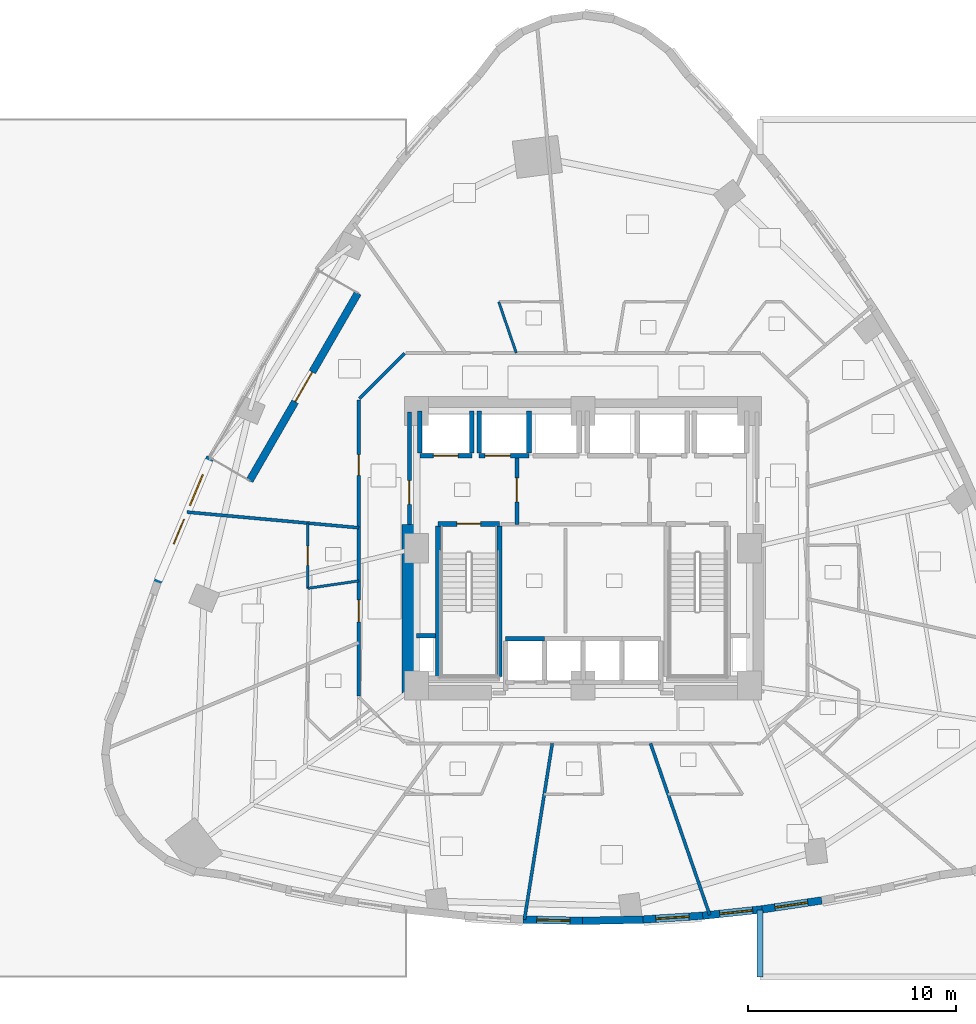
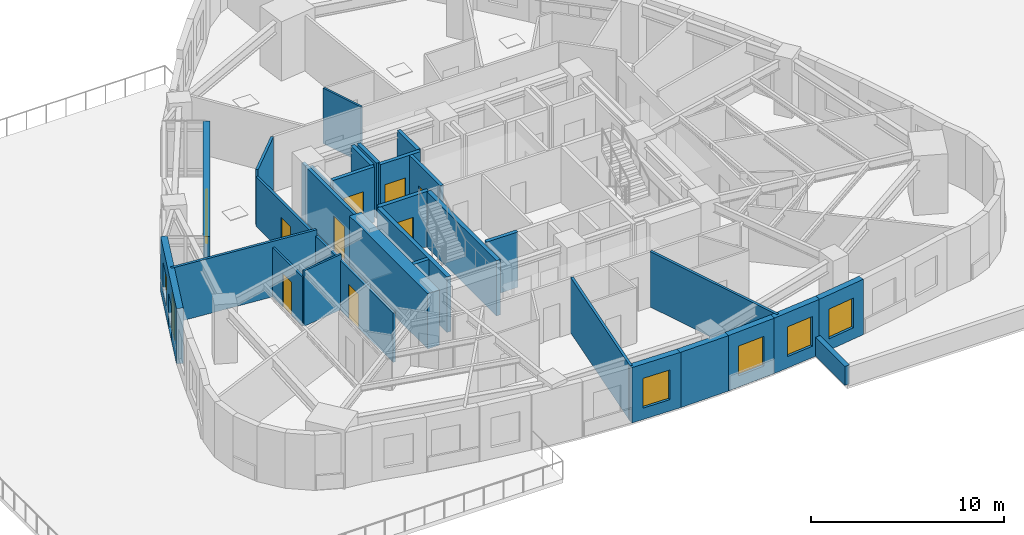
# One storey, part 8 of 15: 30 walls, 10 doors, 5 windows, 15 openings.
"""IFC4 building model written with IfcOpenShell, lengths in metres."""

import ifcopenshell
import ifcopenshell.guid

model = None  # the IFC model being written
_history = None  # IfcOwnerHistory: only IFC2X3 demands one
_inside = {}  # id of a spatial element -> (the spatial element, [elements in it])
_under = {}  # id of a project, library or spatial element -> (it, [spatial elements below it])
_declared = {}  # id of a project -> (the project, [libraries it declares])
_typed = {}  # id of a type object -> (the type object, [elements of that type])
_made_of = {}  # id of a material, layer set ... -> (it, [elements and type objects made of it])


def new_model(schema):
    """Start an empty IFC model of exactly this schema.

    Asked for "IFC4X3", IfcOpenShell would pick the latest addendum, in which some entities
    have other attributes; the version numbers below select the first issue.
    IFC2X3 requires an IfcOwnerHistory on every rooted entity: one is made here for all.
    """
    global model, _history
    if schema == "IFC4X3":
        model = ifcopenshell.file(schema_version=(4, 3, 0, 0))
    else:
        model = ifcopenshell.file(schema=schema)
    _inside.clear()
    _under.clear()
    _declared.clear()
    _typed.clear()
    _made_of.clear()
    _history = None
    if model.schema == "IFC2X3":
        org = make("IfcOrganization", Name="unknown")
        user = make(
            "IfcPersonAndOrganization",
            ThePerson=make("IfcPerson", FamilyName="unknown"),
            TheOrganization=org,
        )
        app = make(
            "IfcApplication",
            ApplicationDeveloper=org,
            Version="unknown",
            ApplicationFullName="unknown",
            ApplicationIdentifier="unknown",
        )
        _history = make(
            "IfcOwnerHistory",
            OwningUser=user,
            OwningApplication=app,
            ChangeAction="ADDED",
            CreationDate=0,
        )
    return model


def make(cls, **values):
    """One entity of the class cls with the attributes given. An attribute that is None is left unset."""
    return model.create_entity(
        cls, **{name: value for name, value in values.items() if value is not None}
    )


def rooted(cls, **values):
    """An entity with a GlobalId (a new one), such as an element, a storey or a relation."""
    return make(cls, GlobalId=ifcopenshell.guid.new(), OwnerHistory=_history, **values)


def si_unit(unit_type, name, prefix=None):
    """IfcSIUnit, for example si_unit("LENGTHUNIT", "METRE", prefix="MILLI")."""
    return make("IfcSIUnit", UnitType=unit_type, Prefix=prefix, Name=name)


def assignment(units):
    """IfcUnitAssignment: the units of a project."""
    return None if units is None else make("IfcUnitAssignment", Units=units)


def point(xyz):
    """IfcCartesianPoint."""
    return None if xyz is None else make("IfcCartesianPoint", Coordinates=xyz)


def direction(xyz):
    """IfcDirection."""
    return None if xyz is None else make("IfcDirection", DirectionRatios=xyz)


def frame(location, z_axis=None, x_axis=None):
    """IfcAxis2Placement3D, a coordinate frame: its origin and axes. An axis left out is left unset."""
    return make(
        "IfcAxis2Placement3D",
        Location=point(location),
        Axis=direction(z_axis),
        RefDirection=direction(x_axis),
    )


def frame_2d(location, x_axis=None):
    """IfcAxis2Placement2D, a coordinate frame in the plane: its origin and x axis."""
    return make(
        "IfcAxis2Placement2D", Location=point(location), RefDirection=direction(x_axis)
    )


def origin():
    """The frame at (0, 0, 0) with its axes left unset."""
    return frame((0.0, 0.0, 0.0))


def place(relative_to, where):
    """IfcLocalPlacement: puts the frame where relative to a parent placement (None: the world)."""
    return make(
        "IfcLocalPlacement", PlacementRelTo=relative_to, RelativePlacement=where
    )


def context(
    kind, dimensions, precision=None, world=None, true_north=None, identifier=None
):
    """IfcGeometricRepresentationContext, for example the 3D "Model" context."""
    return make(
        "IfcGeometricRepresentationContext",
        ContextIdentifier=identifier,
        ContextType=kind,
        CoordinateSpaceDimension=dimensions,
        Precision=precision,
        WorldCoordinateSystem=world,
        TrueNorth=true_north,
    )


def subcontext(parent, identifier, kind, view, scale=None):
    """IfcGeometricRepresentationSubContext, for example "Body" below "Model"."""
    return make(
        "IfcGeometricRepresentationSubContext",
        ContextIdentifier=identifier,
        ContextType=kind,
        ParentContext=parent,
        TargetScale=scale,
        TargetView=view,
    )


def project(units=None, contexts=None):
    """IfcProject with its units and contexts."""
    return rooted(
        "IfcProject",
        Name="project",
        RepresentationContexts=contexts,
        UnitsInContext=assignment(units),
    )


def spatial(cls, under=None, at=None, **own):
    """A site, building, storey or space (cls), placed at a placement, below another one or the project."""
    s = rooted(cls, ObjectPlacement=at, **own)
    if under is not None:
        _under.setdefault(under.id(), (under, []))[1].append(s)
    return s


def profile(cls, at=None, kind="AREA", **sizes):
    """A parametric profile (cls). Its sizes go by their IFC names, for example OverallWidth=200.0."""
    return make(cls, ProfileType=kind, Position=at, **sizes)


def rectangle(**sizes):
    """IfcRectangleProfileDef."""
    return profile("IfcRectangleProfileDef", **sizes)


def extrude(swept, where, along, depth):
    """IfcExtrudedAreaSolid: the profile swept, set in the frame where, extruded along a direction by depth."""
    return make(
        "IfcExtrudedAreaSolid",
        SweptArea=swept,
        Position=where,
        ExtrudedDirection=direction(along),
        Depth=depth,
    )


def shape(context_of_items, identifier, shape_type, items):
    """IfcShapeRepresentation: the items that make up one representation, for example the "Body"."""
    return make(
        "IfcShapeRepresentation",
        ContextOfItems=context_of_items,
        RepresentationIdentifier=identifier,
        RepresentationType=shape_type,
        Items=items,
    )


def material(Name=None, Category=None):
    """IfcMaterial."""
    return make("IfcMaterial", Name=Name, Category=Category)


def layer(
    of_material, thickness, ventilated=None, Name=None, Category=None, Priority=None
):
    """IfcMaterialLayer: one layer of a wall or slab, of a material (None: an air gap)."""
    return make(
        "IfcMaterialLayer",
        Material=of_material,
        LayerThickness=thickness,
        IsVentilated=ventilated,
        Name=Name,
        Category=Category,
        Priority=Priority,
    )


def layer_set(layers, Name=None):
    """IfcMaterialLayerSet."""
    return make("IfcMaterialLayerSet", MaterialLayers=layers, LayerSetName=Name)


def made_of(thing, what):
    """Note that an element or type object is made of a material, layer set ...; save() writes the relation."""
    if what is not None:
        _made_of.setdefault(what.id(), (what, []))[1].append(thing)
    return thing


def type_object(cls, material=None, **own):
    """A type object (cls), such as IfcWallType, which elements share."""
    return made_of(rooted(cls, **own), material)


def element(
    cls,
    number,
    at=None,
    inside=None,
    cuts=None,
    type_object=None,
    material=None,
    context=None,
    identifier="Body",
    shape_type=None,
    held_by="IfcProductDefinitionShape",
    body=None,
    shapes=None,
    **own,
):
    """One element of the class cls, such as IfcWall. Its Tag is "e" and its number.

    at: its placement. inside: the storey or other place that contains it. cuts: it is an
    opening in that element (IfcRelVoidsElement). A single representation is given by context,
    identifier, shape_type and body (its items); several are given by shapes. held_by: the class
    of the entity that holds the representations. save() writes the other relations.
    """
    e = rooted(cls, Tag="e%d" % number, ObjectPlacement=at, **own)
    if body is not None:
        shapes = [shape(context, identifier, shape_type, body)]
    if shapes is not None:
        e.Representation = make(held_by, Representations=shapes)
    if inside is not None:
        _inside.setdefault(inside.id(), (inside, []))[1].append(e)
    if cuts is not None:
        rooted(
            "IfcRelVoidsElement", RelatingBuildingElement=cuts, RelatedOpeningElement=e
        )
    if type_object is not None:
        _typed.setdefault(type_object.id(), (type_object, []))[1].append(e)
    return made_of(e, material)


def fill(opening, filler):
    """IfcRelFillsElement: the door or window that sits in an opening."""
    return rooted(
        "IfcRelFillsElement",
        RelatingOpeningElement=opening,
        RelatedBuildingElement=filler,
    )


def aggregate(whole, parts):
    """IfcRelAggregates: a whole, such as a stair, and the parts it consists of."""
    return rooted("IfcRelAggregates", RelatingObject=whole, RelatedObjects=parts)


def save(model, path):
    """Write the relations noted so far, then the file.

    IfcRelAggregates (storeys below a building ...), IfcRelContainedInSpatialStructure (elements
    in a storey), IfcRelDefinesByType, IfcRelAssociatesMaterial and IfcRelDeclares: one each for
    every whole, place, type object, material and project.
    """
    for whole, parts in _under.values():
        aggregate(whole, parts)
    for where, things in _inside.values():
        rooted(
            "IfcRelContainedInSpatialStructure",
            RelatedElements=things,
            RelatingStructure=where,
        )
    for kind, things in _typed.values():
        rooted("IfcRelDefinesByType", RelatedObjects=things, RelatingType=kind)
    for what, things in _made_of.values():
        rooted("IfcRelAssociatesMaterial", RelatedObjects=things, RelatingMaterial=what)
    for by, libraries in _declared.values():
        rooted("IfcRelDeclares", RelatingContext=by, RelatedDefinitions=libraries)
    model.write(path)


model = new_model("IFC4")

# Units and contexts
model_context = context("Model", 3, precision=1e-05, world=origin(), true_north=direction((0.0, 1.0)))
body_context = subcontext(model_context, "Body", "Model", "MODEL_VIEW")
ifc_project = project(units=[si_unit("LENGTHUNIT", "METRE"), si_unit("AREAUNIT", "SQUARE_METRE"), si_unit("VOLUMEUNIT", "CUBIC_METRE"), si_unit("PLANEANGLEUNIT", "RADIAN"), si_unit("MASSUNIT", "GRAM", prefix="KILO")], contexts=[model_context])

# Site, building, storey
site_placement = place(None, origin())
site = spatial("IfcSite", under=ifc_project, at=site_placement, CompositionType="ELEMENT")
building_placement = place(site_placement, origin())
building = spatial("IfcBuilding", under=site, at=building_placement, Name="Ndelora Gate Hotel", CompositionType="ELEMENT")
storey_placement = place(building_placement, frame((0.0, 0.0, 30.5)))
storey = spatial("IfcBuildingStorey", under=building, at=storey_placement, Name="L06", CompositionType="ELEMENT", Elevation=30.5)

# Wall, opening, door
ifc_material_1 = material(Name="Clay Brick Masonry", Category="masonry")
ifc_layer_1 = layer(ifc_material_1, 0.360107421875)
ifc_layer_set_1 = layer_set([ifc_layer_1], Name="Clay Brick Masonry")
wall_type_1 = type_object("IfcWallType", Name="WL-BRICK-360", PredefinedType="SOLIDWALL", material=ifc_layer_set_1)
wall_1_placement = place(storey_placement, frame((-16.02490234375, 3.24755859375, 0.0), z_axis=(0.0, 0.0, 1.0), x_axis=(0.499999493275, 0.866025696342, 0.0)))
wall_1 = element("IfcWall", 1, at=wall_1_placement, inside=storey, type_object=wall_type_1, Name="L06 Sky-Garden Loggia Rear Brick Wall", PredefinedType="SOLIDWALL", context=body_context, shape_type="SweptSolid", body=[
    extrude(rectangle(XDim=10.39990234375, YDim=0.360107421875, at=frame_2d((5.199951171875, 0.0))), origin(), (0.0, 0.0, 1.0), 3.5),
])
opening_1_placement = place(wall_1_placement, frame((4.375, 0.0, 0.0)))
opening_1 = element("IfcOpeningElement", 2, at=opening_1_placement, cuts=wall_1, Name="Opening TD1", PredefinedType="OPENING", context=body_context, shape_type="SweptSolid", body=[
    extrude(rectangle(XDim=1.64990234375, YDim=2.25, at=frame_2d((0.824951171875, 1.125))), frame((0.0, 0.18994140625, 0.0), z_axis=(0.0, -1.0, 0.0), x_axis=(1.0, 0.0, 0.0)), (0.0, 0.0, 1.0), 0.380126953125),
])
ifc_material_2 = material(Name="Architectural Bronze Glazed Door", Category="metal")
door_type_1 = type_object("IfcDoorType", Name="DR-TER-1650", OperationType="DOUBLE_DOOR_SINGLE_SWING", PredefinedType="DOOR", material=ifc_material_2)
door_1_placement = place(opening_1_placement, origin())
door_1 = element("IfcDoor", 3, at=door_1_placement, inside=storey, type_object=door_type_1, Name="L06 Sky-Garden Terrace Double Door TD1", OperationType="DOUBLE_DOOR_SINGLE_SWING", OverallHeight=2.25, OverallWidth=1.64990234375, PredefinedType="DOOR", context=body_context, shape_type="SweptSolid", body=[
    extrude(rectangle(XDim=1.64990234375, YDim=2.25, at=frame_2d((0.824951171875, 1.125))), frame((0.0, 0.02490234375, 0.0), z_axis=(0.0, -1.0, 0.0), x_axis=(1.0, 0.0, 0.0)), (0.0, 0.0, 1.0), 0.050048828125),
])
fill(opening_1, door_1)

# Wall, openings, door, window
wall_2_placement = place(storey_placement, frame((-20.46630859375, -1.681640625, 0.0), z_axis=(0.0, 0.0, 1.0), x_axis=(0.387744465456, 0.921766906277, 0.0)))
wall_2 = element("IfcWall", 4, at=wall_2_placement, inside=storey, type_object=wall_type_1, Name="L06 Tower Brick Pier-and-Spandrel Wall TWR-16", PredefinedType="SOLIDWALL", context=body_context, shape_type="SweptSolid", body=[
    extrude(rectangle(XDim=6.56591796875, YDim=0.360107421875, at=frame_2d((3.282958984375, 0.0))), origin(), (0.0, 0.0, 1.0), 3.5),
])
opening_2_placement = place(wall_2_placement, frame((2.050048828125, 0.0, 0.0)))
opening_2 = element("IfcOpeningElement", 5, at=opening_2_placement, cuts=wall_2, Name="Opening TD2", PredefinedType="OPENING", context=body_context, shape_type="SweptSolid", body=[
    extrude(rectangle(XDim=1.280029296875, YDim=2.199951171875, at=frame_2d((0.64013671875, 1.10009765625))), frame((0.0, 0.18994140625, 0.0), z_axis=(0.0, -1.0, 0.0), x_axis=(1.0, 0.0, 0.0)), (0.0, 0.0, 1.0), 0.380126953125),
])
opening_3_placement = place(wall_2_placement, frame((4.06005859375, 0.0, 0.719970703125)))
opening_3 = element("IfcOpeningElement", 6, at=opening_3_placement, cuts=wall_2, Name="Opening W01", PredefinedType="OPENING", context=body_context, shape_type="SweptSolid", body=[
    extrude(rectangle(XDim=1.60009765625, YDim=1.8798828125, at=frame_2d((0.800048828125, 0.93994140625))), frame((0.0, 0.18994140625, 0.0), z_axis=(0.0, -1.0, 0.0), x_axis=(1.0, 0.0, 0.0)), (0.0, 0.0, 1.0), 0.380126953125),
])
door_type_2 = type_object("IfcDoorType", Name="DR-TER-1280", OperationType="SINGLE_SWING_LEFT", PredefinedType="DOOR", material=ifc_material_2)
door_2_placement = place(opening_2_placement, origin())
door_2 = element("IfcDoor", 7, at=door_2_placement, inside=storey, type_object=door_type_2, Name="L06 West Podium Planted Sky-Terrace Door TD2", OperationType="SINGLE_SWING_LEFT", OverallHeight=2.199951171875, OverallWidth=1.280029296875, PredefinedType="DOOR", context=body_context, shape_type="SweptSolid", body=[
    extrude(rectangle(XDim=1.280029296875, YDim=2.199951171875, at=frame_2d((0.64013671875, 1.10009765625))), frame((0.0, 0.02490234375, 0.0), z_axis=(0.0, -1.0, 0.0), x_axis=(1.0, 0.0, 0.0)), (0.0, 0.0, 1.0), 0.050048828125),
])
fill(opening_2, door_2)
ifc_material_3 = material(Name="Insulated Low-E Double Glazing in Bronze Aluminium Frame", Category="aluminium")
window_type = type_object("IfcWindowType", Name="WN-DEEP-1600", PartitioningType="SINGLE_PANEL", PredefinedType="WINDOW", material=ifc_material_3)
window_1_placement = place(opening_3_placement, origin())
window_1 = element("IfcWindow", 8, at=window_1_placement, inside=storey, type_object=window_type, Name="L06 Deep-Set Brick-Pier Window W01", OverallHeight=1.8798828125, OverallWidth=1.60009765625, PartitioningType="SINGLE_PANEL", PredefinedType="WINDOW", context=body_context, shape_type="SweptSolid", body=[
    extrude(rectangle(XDim=1.60009765625, YDim=1.8798828125, at=frame_2d((0.800048828125, 0.93994140625))), frame((0.0, 0.030029296875, 0.0), z_axis=(0.0, -1.0, 0.0), x_axis=(1.0, 0.0, 0.0)), (0.0, 0.0, 1.0), 0.06005859375),
])
fill(opening_3, window_1)

# Wall, opening, window
wall_3_placement = place(storey_placement, frame((0.02490234375, -17.904296875, 0.0), z_axis=(0.0, 0.0, 1.0), x_axis=(-0.999772855956, 0.021312824625, 0.0)))
wall_3 = element("IfcWall", 9, at=wall_3_placement, inside=storey, type_object=wall_type_1, Name="L06 Tower Brick Pier-and-Spandrel Wall TWR-32", PredefinedType="SOLIDWALL", context=body_context, shape_type="SweptSolid", body=[
    extrude(rectangle(XDim=2.90966796875, YDim=0.360107421875, at=frame_2d((1.454833984375, 0.0))), origin(), (0.0, 0.0, 1.0), 3.5),
])
opening_4_placement = place(wall_3_placement, frame((0.65478515625, 0.0, 0.719970703125)))
opening_4 = element("IfcOpeningElement", 10, at=opening_4_placement, cuts=wall_3, Name="Opening W01", PredefinedType="OPENING", context=body_context, shape_type="SweptSolid", body=[
    extrude(rectangle(XDim=1.60009765625, YDim=1.8798828125, at=frame_2d((0.800048828125, 0.93994140625))), frame((0.0, 0.18994140625, 0.0), z_axis=(0.0, -1.0, 0.0), x_axis=(1.0, 0.0, 0.0)), (0.0, 0.0, 1.0), 0.380126953125),
])
window_2_placement = place(opening_4_placement, origin())
window_2 = element("IfcWindow", 11, at=window_2_placement, inside=storey, type_object=window_type, Name="L06 Deep-Set Brick-Pier Window W01", OverallHeight=1.8798828125, OverallWidth=1.60009765625, PartitioningType="SINGLE_PANEL", PredefinedType="WINDOW", context=body_context, shape_type="SweptSolid", body=[
    extrude(rectangle(XDim=1.60009765625, YDim=1.8798828125, at=frame_2d((0.800048828125, 0.93994140625))), frame((0.0, 0.030029296875, 0.0), z_axis=(0.0, -1.0, 0.0), x_axis=(1.0, 0.0, 0.0)), (0.0, 0.0, 1.0), 0.06005859375),
])
fill(opening_4, window_2)

# Wall
wall_4_placement = place(storey_placement, frame((2.884033203125, -17.84228515625, 0.0), z_axis=(0.0, 0.0, 1.0), x_axis=(-0.999772855956, -0.021312824625, 0.0)))
element("IfcWall", 12, at=wall_4_placement, inside=storey, type_object=wall_type_1, Name="L06 Tower Brick Pier-and-Spandrel Wall TWR-33", PredefinedType="SOLIDWALL", context=body_context, shape_type="SweptSolid", body=[
    extrude(rectangle(XDim=2.90966796875, YDim=0.360107421875, at=frame_2d((1.454833984375, 0.0))), origin(), (0.0, 0.0, 1.0), 3.5),
])

# Wall, opening, window
wall_5_placement = place(storey_placement, frame((5.742919921875, -17.657958984375, 0.0), z_axis=(0.0, 0.0, 1.0), x_axis=(-0.997950575381, -0.063989445203, 0.0)))
wall_5 = element("IfcWall", 13, at=wall_5_placement, inside=storey, type_object=wall_type_1, Name="L06 Tower Brick Pier-and-Spandrel Wall TWR-34", PredefinedType="SOLIDWALL", context=body_context, shape_type="SweptSolid", body=[
    extrude(rectangle(XDim=2.914794921875, YDim=0.360107421875, at=frame_2d((1.45751953125, 0.0))), origin(), (0.0, 0.0, 1.0), 3.5),
])
opening_5_placement = place(wall_5_placement, frame((0.657470703125, 0.0, 0.719970703125)))
opening_5 = element("IfcOpeningElement", 14, at=opening_5_placement, cuts=wall_5, Name="Opening W01", PredefinedType="OPENING", context=body_context, shape_type="SweptSolid", body=[
    extrude(rectangle(XDim=1.60009765625, YDim=1.8798828125, at=frame_2d((0.800048828125, 0.93994140625))), frame((0.0, 0.18994140625, 0.0), z_axis=(0.0, -1.0, 0.0), x_axis=(1.0, 0.0, 0.0)), (0.0, 0.0, 1.0), 0.380126953125),
])
window_3_placement = place(opening_5_placement, origin())
window_3 = element("IfcWindow", 15, at=window_3_placement, inside=storey, type_object=window_type, Name="L06 Deep-Set Brick-Pier Window W01", OverallHeight=1.8798828125, OverallWidth=1.60009765625, PartitioningType="SINGLE_PANEL", PredefinedType="WINDOW", context=body_context, shape_type="SweptSolid", body=[
    extrude(rectangle(XDim=1.60009765625, YDim=1.8798828125, at=frame_2d((0.800048828125, 0.93994140625))), frame((0.0, 0.030029296875, 0.0), z_axis=(0.0, -1.0, 0.0), x_axis=(1.0, 0.0, 0.0)), (0.0, 0.0, 1.0), 0.06005859375),
])
fill(opening_5, window_3)

wall_6_placement = place(storey_placement, frame((8.60205078125, -17.351318359375, 0.0), z_axis=(0.0, 0.0, 1.0), x_axis=(-0.994340996166, -0.106235508864, 0.0)))
wall_6 = element("IfcWall", 16, at=wall_6_placement, inside=storey, type_object=wall_type_1, Name="L06 Tower Brick Pier-and-Spandrel Wall TWR-35", PredefinedType="SOLIDWALL", context=body_context, shape_type="SweptSolid", body=[
    extrude(rectangle(XDim=2.925537109375, YDim=0.360107421875, at=frame_2d((1.462890625, 0.0))), origin(), (0.0, 0.0, 1.0), 3.5),
])
opening_6_placement = place(wall_6_placement, frame((0.4599609375, 0.0, 0.719970703125)))
opening_6 = element("IfcOpeningElement", 17, at=opening_6_placement, cuts=wall_6, Name="Opening W01", PredefinedType="OPENING", context=body_context, shape_type="SweptSolid", body=[
    extrude(rectangle(XDim=1.60009765625, YDim=1.8798828125, at=frame_2d((0.800048828125, 0.93994140625))), frame((0.0, 0.18994140625, 0.0), z_axis=(0.0, -1.0, 0.0), x_axis=(1.0, 0.0, 0.0)), (0.0, 0.0, 1.0), 0.380126953125),
])
window_4_placement = place(opening_6_placement, origin())
window_4 = element("IfcWindow", 18, at=window_4_placement, inside=storey, type_object=window_type, Name="L06 Deep-Set Brick-Pier Window W01", OverallHeight=1.8798828125, OverallWidth=1.60009765625, PartitioningType="SINGLE_PANEL", PredefinedType="WINDOW", context=body_context, shape_type="SweptSolid", body=[
    extrude(rectangle(XDim=1.60009765625, YDim=1.8798828125, at=frame_2d((0.800048828125, 0.93994140625))), frame((0.0, 0.030029296875, 0.0), z_axis=(0.0, -1.0, 0.0), x_axis=(1.0, 0.0, 0.0)), (0.0, 0.0, 1.0), 0.06005859375),
])
fill(opening_6, window_4)

wall_7_placement = place(storey_placement, frame((11.460693359375, -16.92236328125, 0.0), z_axis=(0.0, 0.0, 1.0), x_axis=(-0.988982587095, -0.148031896641, 0.0)))
wall_7 = element("IfcWall", 19, at=wall_7_placement, inside=storey, type_object=wall_type_1, Name="L06 Tower Brick Pier-and-Spandrel Wall TWR-36", PredefinedType="SOLIDWALL", context=body_context, shape_type="SweptSolid", body=[
    extrude(rectangle(XDim=2.940673828125, YDim=0.360107421875, at=frame_2d((1.47021484375, 0.0))), origin(), (0.0, 0.0, 1.0), 3.5),
])
opening_7_placement = place(wall_7_placement, frame((0.67041015625, 0.0, 0.719970703125)))
opening_7 = element("IfcOpeningElement", 20, at=opening_7_placement, cuts=wall_7, Name="Opening W01", PredefinedType="OPENING", context=body_context, shape_type="SweptSolid", body=[
    extrude(rectangle(XDim=1.60009765625, YDim=1.8798828125, at=frame_2d((0.800048828125, 0.93994140625))), frame((0.0, 0.18994140625, 0.0), z_axis=(0.0, -1.0, 0.0), x_axis=(1.0, 0.0, 0.0)), (0.0, 0.0, 1.0), 0.380126953125),
])
window_5_placement = place(opening_7_placement, origin())
window_5 = element("IfcWindow", 21, at=window_5_placement, inside=storey, type_object=window_type, Name="L06 Deep-Set Brick-Pier Window W01", OverallHeight=1.8798828125, OverallWidth=1.60009765625, PartitioningType="SINGLE_PANEL", PredefinedType="WINDOW", context=body_context, shape_type="SweptSolid", body=[
    extrude(rectangle(XDim=1.60009765625, YDim=1.8798828125, at=frame_2d((0.800048828125, 0.93994140625))), frame((0.0, 0.030029296875, 0.0), z_axis=(0.0, -1.0, 0.0), x_axis=(1.0, 0.0, 0.0)), (0.0, 0.0, 1.0), 0.06005859375),
])
fill(opening_7, window_5)

# Wall
ifc_material_4 = material(Name="Concrete C60/75", Category="concrete")
ifc_layer_2 = layer(ifc_material_4, 0.699951171875)
ifc_layer_set_2 = layer_set([ifc_layer_2], Name="Concrete C60/75")
wall_type_2 = type_object("IfcWallType", Name="WL-CORE-700", PredefinedType="SHEAR", material=ifc_layer_set_2)
wall_8_placement = place(storey_placement, frame((-8.35009765625, -6.949951171875, 0.0), z_axis=(0.0, 0.0, 1.0), x_axis=(0.0, 1.0, 0.0)))
element("IfcWall", 22, at=wall_8_placement, inside=storey, type_object=wall_type_2, Name="L06 Core Shear Wall W", PredefinedType="SHEAR", context=body_context, shape_type="SweptSolid", body=[
    extrude(rectangle(XDim=8.099853515625, YDim=0.699951171875, at=frame_2d((4.0498046875, 0.0))), origin(), (0.0, 0.0, 1.0), 3.5),
])

# Wall, opening, door
ifc_material_5 = material(Name="Concrete C40/50", Category="concrete")
ifc_layer_3 = layer(ifc_material_5, 0.199951171875)
ifc_layer_set_3 = layer_set([ifc_layer_3], Name="Concrete C40/50")
wall_type_3 = type_object("IfcWallType", Name="WL-FIRE-200", PredefinedType="PARTITIONING", material=ifc_layer_set_3)
wall_9_placement = place(storey_placement, frame((-3.179931640625, 1.14990234375, 0.0), z_axis=(0.0, 0.0, 1.0), x_axis=(0.0, 1.0, 0.0)))
wall_9 = element("IfcWall", 23, at=wall_9_placement, inside=storey, type_object=wall_type_3, Name="L06 Interior Wall IW-2", PredefinedType="PARTITIONING", context=body_context, shape_type="SweptSolid", body=[
    extrude(rectangle(XDim=3.300048828125, YDim=0.199951171875, at=frame_2d((1.64990234375, 0.0))), origin(), (0.0, 0.0, 1.0), 3.5),
])
opening_8_placement = place(wall_9_placement, frame((1.080078125, 0.0, 0.0)))
opening_8 = element("IfcOpeningElement", 24, at=opening_8_placement, cuts=wall_9, Name="Opening FD1", PredefinedType="OPENING", context=body_context, shape_type="SweptSolid", body=[
    extrude(rectangle(XDim=1.14990234375, YDim=2.14990234375, at=frame_2d((0.574951171875, 1.074951171875))), frame((0.0, 0.10986328125, 0.0), z_axis=(0.0, -1.0, 0.0), x_axis=(1.0, 0.0, 0.0)), (0.0, 0.0, 1.0), 0.219970703125),
])
ifc_material_6 = material(Name="Fire-Rated Timber-Veneer Steel Core", Category="steel")
door_type_3 = type_object("IfcDoorType", Name="DR-FD60", OperationType="SINGLE_SWING_LEFT", PredefinedType="DOOR", material=ifc_material_6)
door_3_placement = place(opening_8_placement, origin())
door_3 = element("IfcDoor", 25, at=door_3_placement, inside=storey, type_object=door_type_3, Name="L06 Firefighting Lobby West Door", OperationType="SINGLE_SWING_RIGHT", OverallHeight=2.14990234375, OverallWidth=1.14990234375, PredefinedType="DOOR", context=body_context, shape_type="SweptSolid", body=[
    extrude(rectangle(XDim=1.14990234375, YDim=2.14990234375, at=frame_2d((0.574951171875, 1.074951171875))), frame((0.0, 0.02490234375, 0.0), z_axis=(0.0, -1.0, 0.0), x_axis=(1.0, 0.0, 0.0)), (0.0, 0.0, 1.0), 0.050048828125),
])
fill(opening_8, door_3)

wall_10_placement = place(storey_placement, frame((-8.35009765625, 1.14990234375, 0.0), z_axis=(0.0, 0.0, 1.0), x_axis=(0.0, 1.0, 0.0)))
wall_10 = element("IfcWall", 26, at=wall_10_placement, inside=storey, type_object=wall_type_3, Name="L06 Interior Wall IW-2", PredefinedType="PARTITIONING", context=body_context, shape_type="SweptSolid", body=[
    extrude(rectangle(XDim=5.400146484375, YDim=0.199951171875, at=frame_2d((2.7001953125, 0.0))), origin(), (0.0, 0.0, 1.0), 3.5),
])
opening_9_placement = place(wall_10_placement, frame((0.949951171875, 0.0, 0.0)))
opening_9 = element("IfcOpeningElement", 27, at=opening_9_placement, cuts=wall_10, Name="Opening FD1", PredefinedType="OPENING", context=body_context, shape_type="SweptSolid", body=[
    extrude(rectangle(XDim=1.14990234375, YDim=2.14990234375, at=frame_2d((0.574951171875, 1.074951171875))), frame((0.0, 0.10986328125, 0.0), z_axis=(0.0, -1.0, 0.0), x_axis=(1.0, 0.0, 0.0)), (0.0, 0.0, 1.0), 0.219970703125),
])
door_4_placement = place(opening_9_placement, origin())
door_4 = element("IfcDoor", 28, at=door_4_placement, inside=storey, type_object=door_type_3, Name="L06 Firefighting Lobby West Corridor Door", OperationType="SINGLE_SWING_LEFT", OverallHeight=2.14990234375, OverallWidth=1.14990234375, PredefinedType="DOOR", context=body_context, shape_type="SweptSolid", body=[
    extrude(rectangle(XDim=1.14990234375, YDim=2.14990234375, at=frame_2d((0.574951171875, 1.074951171875))), frame((0.0, 0.02490234375, 0.0), z_axis=(0.0, -1.0, 0.0), x_axis=(1.0, 0.0, 0.0)), (0.0, 0.0, 1.0), 0.050048828125),
])
fill(opening_9, door_4)

# Walls
ifc_material_7 = material(Name="Precast concrete C40/50", Category="concrete")
ifc_layer_4 = layer(ifc_material_7, 0.2900390625)
ifc_layer_set_4 = layer_set([ifc_layer_4], Name="Precast concrete C40/50")
wall_type_4 = type_object("IfcWallType", Name="WL-PARA-290", PredefinedType="PARAPET", material=ifc_layer_set_4)
wall_11_placement = place(storey_placement, frame((8.5, -17.38232421875, 0.0), z_axis=(0.0, 0.0, 1.0), x_axis=(0.0, -1.0, 0.0)))
element("IfcWall", 29, at=wall_11_placement, inside=storey, type_object=wall_type_4, Name="L06 East Podium Roof Parapet Wall 1", PredefinedType="PARAPET", context=body_context, shape_type="SweptSolid", body=[
    extrude(rectangle(XDim=3.2177734375, YDim=0.2900390625, at=frame_2d((1.60888671875, 0.0))), origin(), (0.0, 0.0, 1.0), 1.199951171875),
])
ifc_material_8 = material(Name="Fire-Rated Gypsum Stud Partition", Category="gypsum")
ifc_layer_5 = layer(ifc_material_8, 0.14990234375)
ifc_layer_set_5 = layer_set([ifc_layer_5], Name="Fire-Rated Gypsum Stud Partition")
wall_type_5 = type_object("IfcWallType", Name="WL-PART-150", PredefinedType="PARTITIONING", material=ifc_layer_set_5)
wall_12_placement = place(storey_placement, frame((-10.751708984375, 7.17822265625, 0.0), z_axis=(0.0, 0.0, 1.0), x_axis=(0.707067066127, 0.707146494016, 0.0)))
element("IfcWall", 30, at=wall_12_placement, inside=storey, type_object=wall_type_5, Name="L06 Interior Wall IW-5", PredefinedType="PARTITIONING", context=body_context, shape_type="SweptSolid", body=[
    extrude(rectangle(XDim=3.07373046875, YDim=0.14990234375, at=frame_2d((1.536865234375, 0.0))), origin(), (0.0, 0.0, 1.0), 3.5),
])

# Wall, openings, doors
wall_13_placement = place(storey_placement, frame((-10.780029296875, -7.110107421875, 0.0), z_axis=(0.0, 0.0, 1.0), x_axis=(0.0, 1.0, 0.0)))
wall_13 = element("IfcWall", 31, at=wall_13_placement, inside=storey, type_object=wall_type_5, Name="L06 Interior Wall IW-5", PredefinedType="PARTITIONING", context=body_context, shape_type="SweptSolid", body=[
    extrude(rectangle(XDim=14.22021484375, YDim=0.14990234375, at=frame_2d((7.110107421875, 0.0))), origin(), (0.0, 0.0, 1.0), 3.1201171875),
])
opening_10_placement = place(wall_13_placement, frame((10.6064453125, 0.0, 0.0)))
opening_10 = element("IfcOpeningElement", 32, at=opening_10_placement, cuts=wall_13, Name="Opening D01", PredefinedType="OPENING", context=body_context, shape_type="SweptSolid", body=[
    extrude(rectangle(XDim=1.0, YDim=2.14990234375, at=frame_2d((0.5, 1.074951171875))), frame((0.0, 0.0849609375, 0.0), z_axis=(0.0, -1.0, 0.0), x_axis=(1.0, 0.0, 0.0)), (0.0, 0.0, 1.0), 0.169921875),
])
opening_11_placement = place(wall_13_placement, frame((3.56982421875, 0.0, 0.0)))
opening_11 = element("IfcOpeningElement", 33, at=opening_11_placement, cuts=wall_13, Name="Opening D07", PredefinedType="OPENING", context=body_context, shape_type="SweptSolid", body=[
    extrude(rectangle(XDim=1.06005859375, YDim=2.14990234375, at=frame_2d((0.530029296875, 1.074951171875))), frame((0.0, 0.0849609375, 0.0), z_axis=(0.0, -1.0, 0.0), x_axis=(1.0, 0.0, 0.0)), (0.0, 0.0, 1.0), 0.169921875),
])
ifc_material_9 = material(Name="Acoustic Hardwood Guest Entrance Door", Category="wood")
door_type_4 = type_object("IfcDoorType", Name="DR-COR-1000", OperationType="SINGLE_SWING_LEFT", PredefinedType="DOOR", material=ifc_material_9)
door_5_placement = place(opening_10_placement, origin())
door_5 = element("IfcDoor", 34, at=door_5_placement, inside=storey, type_object=door_type_4, Name="L06 Sky Garden Tea Dining Room Entrance Door", OperationType="SINGLE_SWING_LEFT", OverallHeight=2.14990234375, OverallWidth=1.0, PredefinedType="DOOR", context=body_context, shape_type="SweptSolid", body=[
    extrude(rectangle(XDim=1.0, YDim=2.14990234375, at=frame_2d((0.5, 1.074951171875))), frame((0.0, 0.02490234375, 0.0), z_axis=(0.0, -1.0, 0.0), x_axis=(1.0, 0.0, 0.0)), (0.0, 0.0, 1.0), 0.050048828125),
])
fill(opening_10, door_5)
ifc_material_10 = material(Name="Diplomatic Suite Acoustic Entrance Door", Category="wood")
door_type_5 = type_object("IfcDoorType", Name="DR-SUITE-1060", OperationType="SINGLE_SWING_LEFT", PredefinedType="DOOR", material=ifc_material_10)
door_6_placement = place(opening_11_placement, origin())
door_6 = element("IfcDoor", 35, at=door_6_placement, inside=storey, type_object=door_type_5, Name="L06 Deluxe King Junior Suite 904 Entrance Door", OperationType="SINGLE_SWING_RIGHT", OverallHeight=2.14990234375, OverallWidth=1.06005859375, PredefinedType="DOOR", context=body_context, shape_type="SweptSolid", body=[
    extrude(rectangle(XDim=1.06005859375, YDim=2.14990234375, at=frame_2d((0.530029296875, 1.074951171875))), frame((0.0, 0.02490234375, 0.0), z_axis=(0.0, -1.0, 0.0), x_axis=(1.0, 0.0, 0.0)), (0.0, 0.0, 1.0), 0.050048828125),
])
fill(opening_11, door_6)

# Walls
wall_14_placement = place(storey_placement, frame((-10.780029296875, 0.98291015625, 0.0), z_axis=(0.0, 0.0, 1.0), x_axis=(-0.995868528088, 0.090806799107, 0.0)))
element("IfcWall", 36, at=wall_14_placement, inside=storey, type_object=wall_type_5, Name="L06 Interior Wall IW-5", PredefinedType="PARTITIONING", context=body_context, shape_type="SweptSolid", body=[
    extrude(rectangle(XDim=8.283447265625, YDim=0.14990234375, at=frame_2d((4.1416015625, 0.0))), origin(), (0.0, 0.0, 1.0), 3.5),
])
wall_15_placement = place(storey_placement, frame((-1.482666015625, -9.3798828125, 0.0), z_axis=(0.0, 0.0, 1.0), x_axis=(-0.156108883171, -0.987739852692, 0.0)))
element("IfcWall", 37, at=wall_15_placement, inside=storey, type_object=wall_type_5, Name="L06 Interior Wall IW-5", PredefinedType="PARTITIONING", context=body_context, shape_type="SweptSolid", body=[
    extrude(rectangle(XDim=8.568603515625, YDim=0.14990234375, at=frame_2d((4.2841796875, 0.0))), origin(), (0.0, 0.0, 1.0), 3.5),
])
wall_16_placement = place(storey_placement, frame((3.237548828125, -9.3798828125, 0.0), z_axis=(0.0, 0.0, 1.0), x_axis=(0.326258220665, -0.945280685008, 0.0)))
element("IfcWall", 38, at=wall_16_placement, inside=storey, type_object=wall_type_5, Name="L06 Interior Wall IW-5", PredefinedType="PARTITIONING", context=body_context, shape_type="SweptSolid", body=[
    extrude(rectangle(XDim=8.7177734375, YDim=0.14990234375, at=frame_2d((4.35888671875, 0.0))), origin(), (0.0, 0.0, 1.0), 3.5),
])
ifc_layer_6 = layer(ifc_material_5, 0.219970703125)
ifc_layer_set_6 = layer_set([ifc_layer_6], Name="Concrete C40/50")
wall_type_6 = type_object("IfcWallType", Name="WL-SHAFT-220", PredefinedType="PARTITIONING", material=ifc_layer_set_6)
wall_17_placement = place(storey_placement, frame((-8.0, -4.199951171875, 0.0), z_axis=(0.0, 0.0, 1.0), x_axis=(1.0, 0.0, 0.0)))
element("IfcWall", 39, at=wall_17_placement, inside=storey, type_object=wall_type_6, Name="L06 Interior Wall IW-1", PredefinedType="PARTITIONING", context=body_context, shape_type="SweptSolid", body=[
    extrude(rectangle(XDim=0.909912109375, YDim=0.219970703125, at=frame_2d((0.455078125, 0.0))), origin(), (0.0, 0.0, 1.0), 3.5),
])

# Wall, opening, door
wall_18_placement = place(storey_placement, frame((-7.85009765625, 4.449951171875, 0.0), z_axis=(0.0, 0.0, 1.0), x_axis=(1.0, 0.0, 0.0)))
wall_18 = element("IfcWall", 40, at=wall_18_placement, inside=storey, type_object=wall_type_6, Name="L06 Interior Wall IW-1", PredefinedType="PARTITIONING", context=body_context, shape_type="SweptSolid", body=[
    extrude(rectangle(XDim=2.5, YDim=0.219970703125, at=frame_2d((1.25, 0.0))), origin(), (0.0, 0.0, 1.0), 3.5),
])
opening_12_placement = place(wall_18_placement, frame((0.659912109375, 0.0, 0.0)))
opening_12 = element("IfcOpeningElement", 41, at=opening_12_placement, cuts=wall_18, Name="Opening LD5", PredefinedType="OPENING", context=body_context, shape_type="SweptSolid", body=[
    extrude(rectangle(XDim=1.179931640625, YDim=2.14990234375, at=frame_2d((0.58984375, 1.074951171875))), frame((0.0, 0.1201171875, 0.0), z_axis=(0.0, -1.0, 0.0), x_axis=(1.0, 0.0, 0.0)), (0.0, 0.0, 1.0), 0.239990234375),
])
ifc_material_11 = material(Name="Firefighting Lift Stainless Sliding Landing Door", Category="metal")
door_type_6 = type_object("IfcDoorType", Name="DR-LD5", OperationType="DOUBLE_DOOR_SLIDING", PredefinedType="DOOR", material=ifc_material_11)
door_7_placement = place(opening_12_placement, origin())
door_7 = element("IfcDoor", 42, at=door_7_placement, inside=storey, type_object=door_type_6, Name="L06 Lift Landing Sliding Door FFL1", OperationType="DOUBLE_DOOR_SLIDING", OverallHeight=2.14990234375, OverallWidth=1.179931640625, PredefinedType="DOOR", context=body_context, shape_type="SweptSolid", body=[
    extrude(rectangle(XDim=1.179931640625, YDim=2.14990234375, at=frame_2d((0.58984375, 1.074951171875))), frame((0.0, 0.02490234375, 0.0), z_axis=(0.0, -1.0, 0.0), x_axis=(1.0, 0.0, 0.0)), (0.0, 0.0, 1.0), 0.050048828125),
])
fill(opening_12, door_7)

# Walls
wall_19_placement = place(storey_placement, frame((-7.85009765625, 4.570068359375, 0.0), z_axis=(0.0, 0.0, 1.0), x_axis=(0.0, 1.0, 0.0)))
element("IfcWall", 43, at=wall_19_placement, inside=storey, type_object=wall_type_6, Name="L06 Interior Wall IW-1", PredefinedType="PARTITIONING", context=body_context, shape_type="SweptSolid", body=[
    extrude(rectangle(XDim=2.030029296875, YDim=0.219970703125, at=frame_2d((1.01513671875, 0.0))), origin(), (0.0, 0.0, 1.0), 3.080078125),
])
wall_20_placement = place(storey_placement, frame((-5.35009765625, 4.570068359375, 0.0), z_axis=(0.0, 0.0, 1.0), x_axis=(0.0, 1.0, 0.0)))
element("IfcWall", 44, at=wall_20_placement, inside=storey, type_object=wall_type_6, Name="L06 Interior Wall IW-1", PredefinedType="PARTITIONING", context=body_context, shape_type="SweptSolid", body=[
    extrude(rectangle(XDim=2.030029296875, YDim=0.219970703125, at=frame_2d((1.01513671875, 0.0))), origin(), (0.0, 0.0, 1.0), 3.5),
])

# Wall, opening, door
wall_21_placement = place(storey_placement, frame((-5.0, 4.449951171875, 0.0), z_axis=(0.0, 0.0, 1.0), x_axis=(1.0, 0.0, 0.0)))
wall_21 = element("IfcWall", 45, at=wall_21_placement, inside=storey, type_object=wall_type_6, Name="L06 Interior Wall IW-1", PredefinedType="PARTITIONING", context=body_context, shape_type="SweptSolid", body=[
    extrude(rectangle(XDim=2.39990234375, YDim=0.219970703125, at=frame_2d((1.199951171875, 0.0))), origin(), (0.0, 0.0, 1.0), 3.5),
])
opening_13_placement = place(wall_21_placement, frame((0.280029296875, 0.0, 0.0)))
opening_13 = element("IfcOpeningElement", 46, at=opening_13_placement, cuts=wall_21, Name="Opening LD6", PredefinedType="OPENING", context=body_context, shape_type="SweptSolid", body=[
    extrude(rectangle(XDim=1.219970703125, YDim=2.14990234375, at=frame_2d((0.60986328125, 1.074951171875))), frame((0.0, 0.1201171875, 0.0), z_axis=(0.0, -1.0, 0.0), x_axis=(1.0, 0.0, 0.0)), (0.0, 0.0, 1.0), 0.239990234375),
])
ifc_material_12 = material(Name="Heavy-Duty Service Lift Sliding Landing Door", Category="wood")
door_type_7 = type_object("IfcDoorType", Name="DR-LD6", OperationType="DOUBLE_DOOR_SLIDING", PredefinedType="DOOR", material=ifc_material_12)
door_8_placement = place(opening_13_placement, origin())
door_8 = element("IfcDoor", 47, at=door_8_placement, inside=storey, type_object=door_type_7, Name="L06 Lift Landing Sliding Door SVL1", OperationType="DOUBLE_DOOR_SLIDING", OverallHeight=2.14990234375, OverallWidth=1.219970703125, PredefinedType="DOOR", context=body_context, shape_type="SweptSolid", body=[
    extrude(rectangle(XDim=1.219970703125, YDim=2.14990234375, at=frame_2d((0.60986328125, 1.074951171875))), frame((0.0, 0.02490234375, 0.0), z_axis=(0.0, -1.0, 0.0), x_axis=(1.0, 0.0, 0.0)), (0.0, 0.0, 1.0), 0.050048828125),
])
fill(opening_13, door_8)

# Walls
for number, where, z_axis, x_axis, name in (
    (48, (-5.0, 4.570068359375, 0.0), (0.0, 0.0, 1.0), (0.0, 1.0, 0.0), "L06 Interior Wall IW-1"),
    (49, (-2.60009765625, 4.570068359375, 0.0), (0.0, 0.0, 1.0), (0.0, 1.0, 0.0), "L06 Interior Wall IW-1"),
):
    element("IfcWall", number, at=place(storey_placement, frame(where, z_axis=z_axis, x_axis=x_axis)), inside=storey, type_object=wall_type_6, Name=name, PredefinedType="PARTITIONING", context=body_context, shape_type="SweptSolid", body=[
        extrude(rectangle(XDim=2.030029296875, YDim=0.219970703125, at=frame_2d((1.01513671875, 0.0))), origin(), (0.0, 0.0, 1.0), 3.5),
    ])
wall_22_placement = place(storey_placement, frame((-3.719970703125, -4.35009765625, 0.0), z_axis=(0.0, 0.0, 1.0), x_axis=(1.0, 0.0, 0.0)))
element("IfcWall", 50, at=wall_22_placement, inside=storey, type_object=wall_type_6, Name="L06 Interior Wall IW-1", PredefinedType="PARTITIONING", context=body_context, shape_type="SweptSolid", body=[
    extrude(rectangle(XDim=1.85986328125, YDim=0.219970703125, at=frame_2d((0.929931640625, 0.0))), origin(), (0.0, 0.0, 1.0), 3.5),
])
ifc_material_13 = material(Name="Concrete C50/60", Category="concrete")
ifc_layer_7 = layer(ifc_material_13, 0.239990234375)
ifc_layer_set_7 = layer_set([ifc_layer_7], Name="Concrete C50/60")
wall_type_7 = type_object("IfcWallType", Name="WL-STAIR-240", PredefinedType="SHEAR", material=ifc_layer_set_7)
for number, where, z_axis, x_axis, name in (
    (51, (-6.969970703125, -6.159912109375, 0.0), (0.0, 0.0, 1.0), (0.0, 1.0, 0.0), "L06 Stair Core Shear Wall SW-ST"),
    (52, (-4.010009765625, -6.159912109375, 0.0), (0.0, 0.0, 1.0), (0.0, 1.0, 0.0), "L06 Stair Core Shear Wall SW-ST"),
):
    element("IfcWall", number, at=place(storey_placement, frame(where, z_axis=z_axis, x_axis=x_axis)), inside=storey, type_object=wall_type_7, Name=name, PredefinedType="SHEAR", context=body_context, shape_type="SweptSolid", body=[
        extrude(rectangle(XDim=7.219970703125, YDim=0.239990234375, at=frame_2d((3.60986328125, 0.0))), origin(), (0.0, 0.0, 1.0), 3.5),
    ])

# Wall, opening, door
wall_23_placement = place(storey_placement, frame((-6.969970703125, 1.169921875, 0.0), z_axis=(0.0, 0.0, 1.0), x_axis=(1.0, 0.0, 0.0)))
wall_23 = element("IfcWall", 53, at=wall_23_placement, inside=storey, type_object=wall_type_7, Name="L06 Stair Core Shear Wall SW-ST", PredefinedType="SHEAR", context=body_context, shape_type="SweptSolid", body=[
    extrude(rectangle(XDim=2.9599609375, YDim=0.239990234375, at=frame_2d((1.47998046875, 0.0))), origin(), (0.0, 0.0, 1.0), 3.5),
])
opening_14_placement = place(wall_23_placement, frame((0.89990234375, 0.0, 0.0)))
opening_14 = element("IfcOpeningElement", 54, at=opening_14_placement, cuts=wall_23, Name="Opening FD1", PredefinedType="OPENING", context=body_context, shape_type="SweptSolid", body=[
    extrude(rectangle(XDim=1.14990234375, YDim=2.14990234375, at=frame_2d((0.574951171875, 1.074951171875))), frame((0.0, 0.1298828125, 0.0), z_axis=(0.0, -1.0, 0.0), x_axis=(1.0, 0.0, 0.0)), (0.0, 0.0, 1.0), 0.260009765625),
])
door_9_placement = place(opening_14_placement, origin())
door_9 = element("IfcDoor", 55, at=door_9_placement, inside=storey, type_object=door_type_3, Name="L06 Exit Stair ST4 Door", OperationType="SINGLE_SWING_LEFT", OverallHeight=2.14990234375, OverallWidth=1.14990234375, PredefinedType="DOOR", context=body_context, shape_type="SweptSolid", body=[
    extrude(rectangle(XDim=1.14990234375, YDim=2.14990234375, at=frame_2d((0.574951171875, 1.074951171875))), frame((0.0, 0.02490234375, 0.0), z_axis=(0.0, -1.0, 0.0), x_axis=(1.0, 0.0, 0.0)), (0.0, 0.0, 1.0), 0.050048828125),
])
fill(opening_14, door_9)

# Walls
ifc_material_14 = material(Name="Moisture-Resistant Bathroom Tile Partition", Category="gypsum")
ifc_layer_8 = layer(ifc_material_14, 0.1201171875)
ifc_layer_set_8 = layer_set([ifc_layer_8], Name="Moisture-Resistant Bathroom Tile Partition")
wall_type_8 = type_object("IfcWallType", Name="WL-WET-120", PredefinedType="PARTITIONING", material=ifc_layer_set_8)
wall_24_placement = place(storey_placement, frame((-4.05322265625, 11.830078125, 0.0), z_axis=(0.0, 0.0, 1.0), x_axis=(0.324078497959, -0.946030193578, 0.0)))
element("IfcWall", 56, at=wall_24_placement, inside=storey, type_object=wall_type_8, Name="L06 Interior Wall IW-7", PredefinedType="PARTITIONING", context=body_context, shape_type="SweptSolid", body=[
    extrude(rectangle(XDim=2.590087890625, YDim=0.1201171875, at=frame_2d((1.294921875, 0.0))), origin(), (0.0, 0.0, 1.0), 3.5),
])
wall_25_placement = place(storey_placement, frame((-10.780029296875, -1.57080078125, 0.0), z_axis=(0.0, 0.0, 1.0), x_axis=(-0.989553213028, -0.144168091425, 0.0)))
element("IfcWall", 57, at=wall_25_placement, inside=storey, type_object=wall_type_8, Name="L06 Interior Wall IW-7", PredefinedType="PARTITIONING", context=body_context, shape_type="SweptSolid", body=[
    extrude(rectangle(XDim=2.475830078125, YDim=0.1201171875, at=frame_2d((1.23779296875, 0.0))), origin(), (0.0, 0.0, 1.0), 3.5),
])

# Wall, opening, door
wall_26_placement = place(storey_placement, frame((-13.22998046875, -1.927734375, 0.0), z_axis=(0.0, 0.0, 1.0), x_axis=(0.0, 1.0, 0.0)))
wall_26 = element("IfcWall", 58, at=wall_26_placement, inside=storey, type_object=wall_type_8, Name="L06 Interior Wall IW-7", PredefinedType="PARTITIONING", context=body_context, shape_type="SweptSolid", body=[
    extrude(rectangle(XDim=3.134033203125, YDim=0.1201171875, at=frame_2d((1.56689453125, 0.0))), origin(), (0.0, 0.0, 1.0), 3.1201171875),
])
opening_15_placement = place(wall_26_placement, frame((1.107177734375, 0.0, 0.0)))
opening_15 = element("IfcOpeningElement", 59, at=opening_15_placement, cuts=wall_26, Name="Opening D03", PredefinedType="OPENING", context=body_context, shape_type="SweptSolid", body=[
    extrude(rectangle(XDim=0.919921875, YDim=2.10009765625, at=frame_2d((0.4599609375, 1.050048828125))), frame((0.0, 0.070068359375, 0.0), z_axis=(0.0, -1.0, 0.0), x_axis=(1.0, 0.0, 0.0)), (0.0, 0.0, 1.0), 0.14013671875),
])
ifc_material_15 = material(Name="Moisture-Resistant Hardwood En-Suite Door", Category="wood")
door_type_8 = type_object("IfcDoorType", Name="DR-BATH-920", OperationType="SINGLE_SWING_LEFT", PredefinedType="DOOR", material=ifc_material_15)
door_10_placement = place(opening_15_placement, origin())
door_10 = element("IfcDoor", 60, at=door_10_placement, inside=storey, type_object=door_type_8, Name="L06 En-suite Bathroom 904 Door", OperationType="SINGLE_SWING_LEFT", OverallHeight=2.10009765625, OverallWidth=0.919921875, PredefinedType="DOOR", context=body_context, shape_type="SweptSolid", body=[
    extrude(rectangle(XDim=0.919921875, YDim=2.10009765625, at=frame_2d((0.4599609375, 1.050048828125))), frame((0.0, 0.02490234375, 0.0), z_axis=(0.0, -1.0, 0.0), x_axis=(1.0, 0.0, 0.0)), (0.0, 0.0, 1.0), 0.050048828125),
])
fill(opening_15, door_10)

save(model, "model.ifc")
